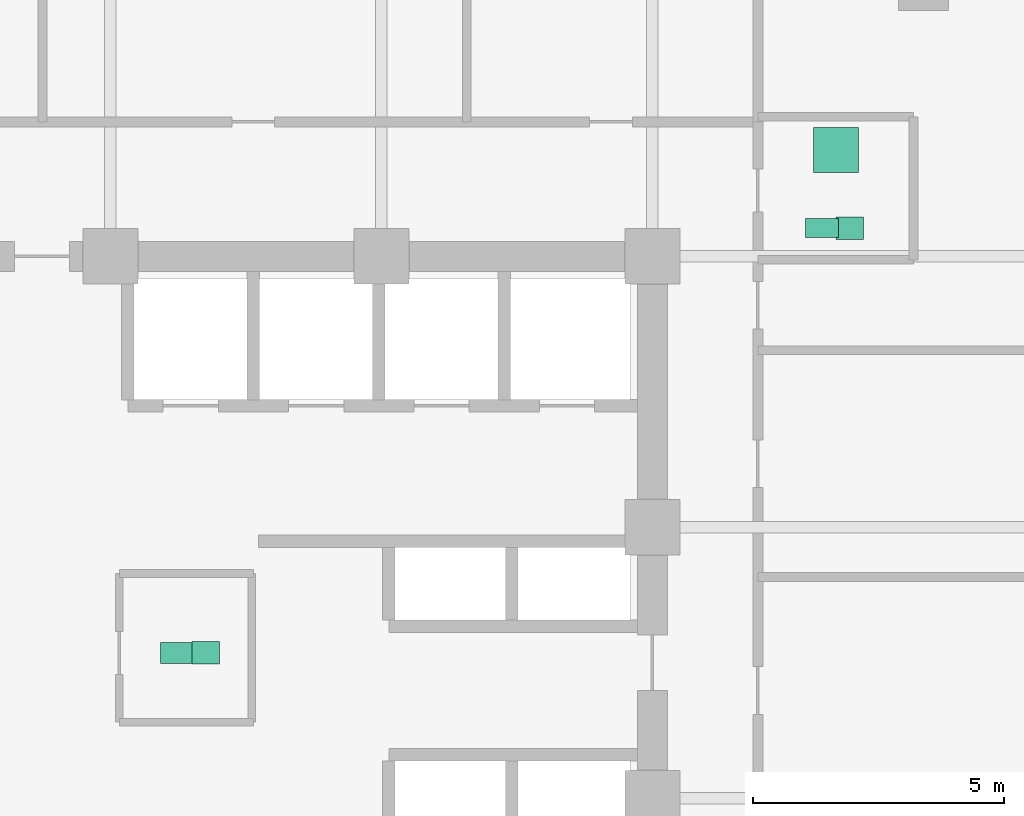
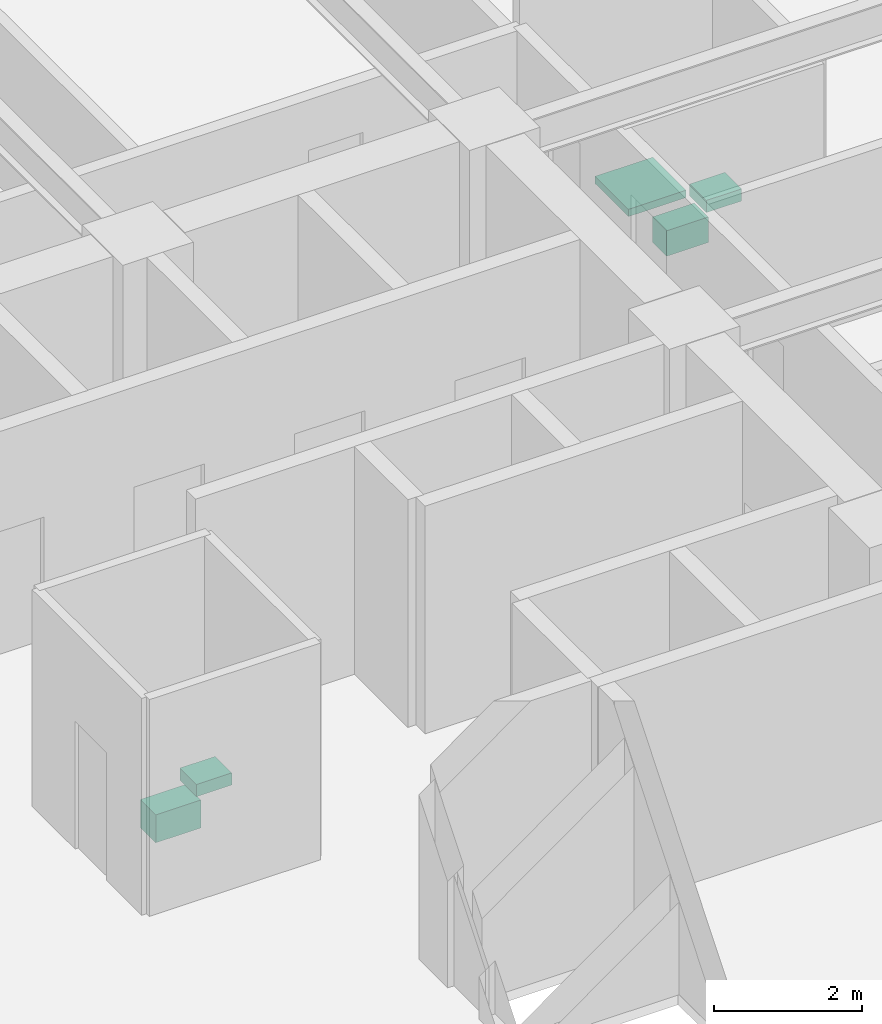
# One storey, part 25 of 25: 5 sanitary terminals.
"""IFC4 building model written with IfcOpenShell, lengths in metres."""

from ifc_helpers import new_model, si_unit, direction, frame, origin, origin_2d, place, context, subcontext, project, spatial, rectangle, extrude, material, type_object, element, save


model = new_model("IFC4")

# Units and contexts
model_context = context("Model", 3, precision=1e-05, world=origin(), true_north=direction((0.0, 1.0)))
body_context = subcontext(model_context, "Body", "Model", "MODEL_VIEW")
ifc_project = project(units=[si_unit("LENGTHUNIT", "METRE"), si_unit("AREAUNIT", "SQUARE_METRE"), si_unit("VOLUMEUNIT", "CUBIC_METRE"), si_unit("PLANEANGLEUNIT", "RADIAN"), si_unit("MASSUNIT", "GRAM", prefix="KILO")], contexts=[model_context])

# Site, building, storey
site_placement = place(None, origin())
site = spatial("IfcSite", under=ifc_project, at=site_placement, CompositionType="ELEMENT")
building_placement = place(site_placement, origin())
building = spatial("IfcBuilding", under=site, at=building_placement, Name="Surkhivell Harbour Commons", CompositionType="ELEMENT")
storey_placement = place(building_placement, frame((0.0, 0.0, 139.5)))
storey = spatial("IfcBuildingStorey", under=building, at=storey_placement, Name="L36", CompositionType="ELEMENT", Elevation=139.5)

# Sanitary terminals
ifc_material_1 = material(Name="Vitreous china washbasin", Category="other")
sanitary_terminal_type_1 = type_object("IfcSanitaryTerminalType", Name="SAN-BSN", PredefinedType="WASHHANDBASIN", material=ifc_material_1)
for number, where, z_axis, x_axis, name in (
    (1, (1.89990234375, 2.89990234375, 0.72021484375), (0.0, 0.0, 1.0), (1.0, 0.0, 0.0), "L36 Core Accessible WC Washbasin"),
    (2, (14.72998046875, 11.360107421875, 0.72021484375), (0.0, 0.0, 1.0), (1.0, 0.0, 0.0), "L36 East Communal Bathroom WC Washbasin"),
):
    element("IfcSanitaryTerminal", number, at=place(storey_placement, frame(where, z_axis=z_axis, x_axis=x_axis)), inside=storey, type_object=sanitary_terminal_type_1, Name=name, PredefinedType="WASHHANDBASIN", context=body_context, shape_type="SweptSolid", body=[
        extrude(rectangle(XDim=0.550048828125, YDim=0.449951171875, at=origin_2d()), origin(), (0.0, 0.0, 1.0), 0.199951171875),
    ])
ifc_material_2 = material(Name="Glazed porcelain shower tray", Category="other")
sanitary_terminal_type_2 = type_object("IfcSanitaryTerminalType", Name="SAN-SHW", PredefinedType="SHOWER", material=ifc_material_2)
sanitary_terminal_1_placement = place(storey_placement, frame((14.4599609375, 12.919921875, 0.0), z_axis=(0.0, 0.0, 1.0), x_axis=(1.0, 0.0, 0.0)))
element("IfcSanitaryTerminal", 3, at=sanitary_terminal_1_placement, inside=storey, type_object=sanitary_terminal_type_2, Name="L36 East Communal Shower Tray", PredefinedType="SHOWER", context=body_context, shape_type="SweptSolid", body=[
    extrude(rectangle(XDim=0.89990234375, YDim=0.89990234375, at=origin_2d()), origin(), (0.0, 0.0, 1.0), 0.1201171875),
])
ifc_material_3 = material(Name="Vitreous china sanitaryware", Category="other")
sanitary_terminal_type_3 = type_object("IfcSanitaryTerminalType", Name="SAN-WC-ACC", PredefinedType="TOILETPAN", material=ifc_material_3)
sanitary_terminal_2_placement = place(storey_placement, frame((1.35009765625, 2.89990234375, 0.169921875), z_axis=(0.0, 0.0, 1.0), x_axis=(1.0, 0.0, 0.0)))
element("IfcSanitaryTerminal", 4, at=sanitary_terminal_2_placement, inside=storey, type_object=sanitary_terminal_type_3, Name="L36 Core Accessible WC", PredefinedType="TOILETPAN", context=body_context, shape_type="SweptSolid", body=[
    extrude(rectangle(XDim=0.699951171875, YDim=0.419921875, at=origin_2d()), origin(), (0.0, 0.0, 1.0), 0.4599609375),
])
sanitary_terminal_type_4 = type_object("IfcSanitaryTerminalType", Name="SAN-WC-STD", PredefinedType="TOILETPAN", material=ifc_material_3)
sanitary_terminal_3_placement = place(storey_placement, frame((14.179931640625, 11.360107421875, 0.18994140625), z_axis=(0.0, 0.0, 1.0), x_axis=(1.0, 0.0, 0.0)))
element("IfcSanitaryTerminal", 5, at=sanitary_terminal_3_placement, inside=storey, type_object=sanitary_terminal_type_4, Name="L36 East Communal Bathroom WC", PredefinedType="TOILETPAN", context=body_context, shape_type="SweptSolid", body=[
    extrude(rectangle(XDim=0.64990234375, YDim=0.3798828125, at=origin_2d()), origin(), (0.0, 0.0, 1.0), 0.419921875),
])

save(model, "model.ifc")
